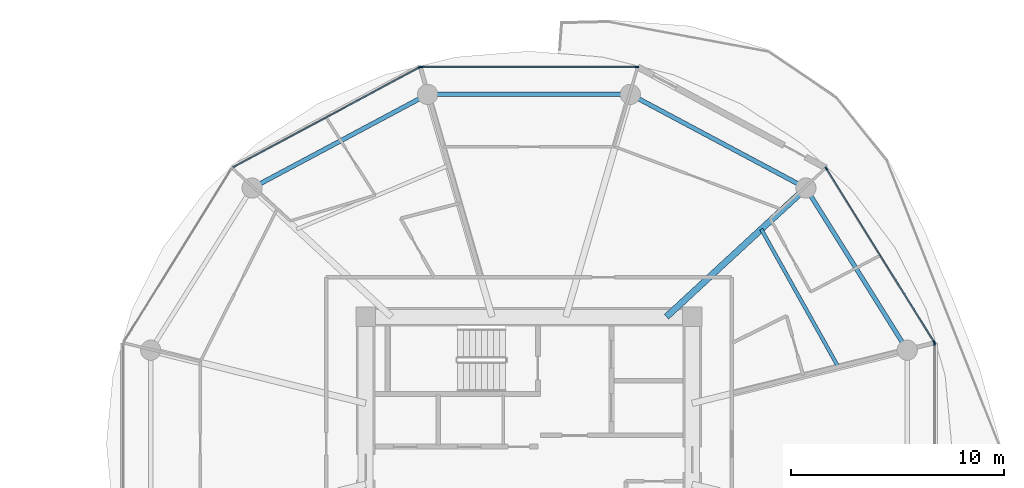
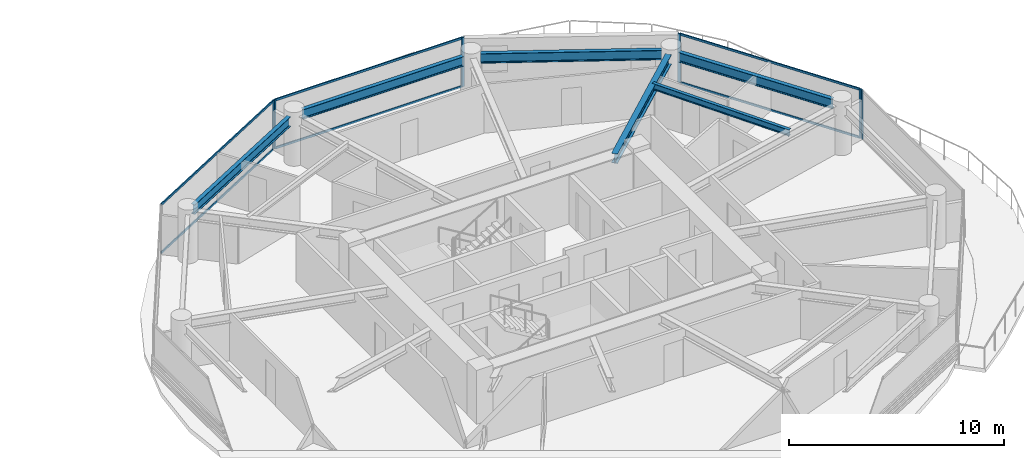
# One storey, part 13 of 27: 12 members, 6 beams, 4 elements without a shape of their own.
"""IFC4 building model written with IfcOpenShell, lengths in metres."""

from ifc_helpers import new_model, si_unit, direction, frame, origin, origin_2d, place, context, subcontext, project, spatial, rectangle, i_section, extrude, source, transform, mapped, material, layer, layer_set, material_profile, profile_set, type_object, type_shapes, element, aggregate, save


model = new_model("IFC4")

# Units and contexts
model_context = context("Model", 3, precision=1e-05, world=origin(), true_north=direction((0.0, 1.0)))
body_context = subcontext(model_context, "Body", "Model", "MODEL_VIEW")
ifc_project = project(units=[si_unit("LENGTHUNIT", "METRE"), si_unit("AREAUNIT", "SQUARE_METRE"), si_unit("VOLUMEUNIT", "CUBIC_METRE"), si_unit("PLANEANGLEUNIT", "RADIAN"), si_unit("MASSUNIT", "GRAM", prefix="KILO")], contexts=[model_context])

# Site, building, storey
site_placement = place(None, origin())
site = spatial("IfcSite", under=ifc_project, at=site_placement, CompositionType="ELEMENT")
building_placement = place(site_placement, origin())
building = spatial("IfcBuilding", under=site, at=building_placement, Name="Norrkilde Senior Care Towers", CompositionType="ELEMENT")
storey_placement = place(building_placement, frame((0.0, 0.0, 46.0)))
storey = spatial("IfcBuildingStorey", under=building, at=storey_placement, Name="L13", CompositionType="ELEMENT", Elevation=46.0)

# Beams
ifc_material_1 = material(Name="Steel S355", Category="steel")
ifc_material_profile_1 = material_profile(ifc_material_1, i_section(OverallWidth=0.2099609375, OverallDepth=0.550048828125, WebThickness=0.010986328125, FlangeThickness=0.01708984375, FilletRadius=0.02392578125, at=origin_2d()), Name="IPE 550")
ifc_profile_set_1 = profile_set([ifc_material_profile_1], Name="Steel S355")
beam_type_1 = type_object("IfcBeamType", Name="Perimeter Ring Spandrel Z1 IPE550", PredefinedType="SPANDREL", material=ifc_profile_set_1)
shared_shape_1 = source(origin(), body_context, "Body", "SweptSolid", [
    extrude(i_section(OverallWidth=0.2099609375, OverallDepth=0.550048828125, WebThickness=0.010986328125, FlangeThickness=0.01708984375, FilletRadius=0.02392578125, at=origin_2d()), origin(), (0.0, 0.0, 1.0), 8.090576171875),
])
beam_1_placement = place(storey_placement, frame((45.494140625, 4.755859375, 2.514892578125), z_axis=(-0.530004364821, 0.84799491347, 0.0), x_axis=(-0.84799491347, -0.530004364821, 0.0)))
element("IfcBeam", 1, at=beam_1_placement, inside=storey, type_object=beam_type_1, Name="L13 Drum E Perimeter Spandrel 01", PredefinedType="SPANDREL", context=body_context, shape_type="MappedRepresentation", body=[
    mapped(shared_shape_1, transform((0.0, 0.0, 0.0), x_axis=(1.0, 0.0, 0.0), y_axis=(0.0, 1.0, 0.0), z_axis=(0.0, 0.0, 1.0), scale=1.0)),
])
shared_shape_2 = source(origin(), body_context, "Body", "SweptSolid", [
    extrude(i_section(OverallWidth=0.2099609375, OverallDepth=0.550048828125, WebThickness=0.010986328125, FlangeThickness=0.01708984375, FilletRadius=0.02392578125, at=origin_2d()), origin(), (0.0, 0.0, 1.0), 8.452880859375),
])
for number, where, z_axis, x_axis, name in (
    (2, (40.591552734375, 12.190185546875, 2.514892578125), (-0.882368931134, 0.470558252898, 0.0), (-0.470558252898, -0.882368931134, 0.0), "L13 Drum E Perimeter Spandrel 02"),
    (3, (22.866943359375, 16.167724609375, 2.514892578125), (-0.882368931134, -0.470558252898, 0.0), (0.470558252898, -0.882368931134, 0.0), "L13 Drum E Perimeter Spandrel 04"),
):
    element("IfcBeam", number, at=place(storey_placement, frame(where, z_axis=z_axis, x_axis=x_axis)), inside=storey, type_object=beam_type_1, Name=name, PredefinedType="SPANDREL", context=body_context, shape_type="MappedRepresentation", body=[
        mapped(shared_shape_2, transform((0.0, 0.0, 0.0), x_axis=(1.0, 0.0, 0.0), y_axis=(0.0, 1.0, 0.0), z_axis=(0.0, 0.0, 1.0), scale=1.0)),
    ])
ifc_material_profile_2 = material_profile(ifc_material_1, i_section(OverallWidth=0.300048828125, OverallDepth=0.550048828125, WebThickness=0.014892578125, FlangeThickness=0.029052734375, FilletRadius=0.027099609375, at=origin_2d()), Name="HEB 550")
ifc_profile_set_2 = profile_set([ifc_material_profile_2], Name="Steel S355")
beam_type_2 = type_object("IfcBeamType", Name="Radial Floor Beam Z1 HEB550", PredefinedType="BEAM", material=ifc_profile_set_2)
shared_shape_3 = source(origin(), body_context, "Body", "SweptSolid", [
    extrude(i_section(OverallWidth=0.300048828125, OverallDepth=0.550048828125, WebThickness=0.014892578125, FlangeThickness=0.029052734375, FilletRadius=0.027099609375, at=origin_2d()), origin(), (0.0, 0.0, 1.0), 8.459716796875),
])
type_shapes(beam_type_2, [shared_shape_3])
beam_2_placement = place(storey_placement, frame((34.44140625, 5.949951171875, 2.514892578125), z_axis=(0.734573269108, 0.678529374686, 0.0), x_axis=(-0.678529374686, 0.734573269108, 0.0)))
element("IfcBeam", 4, at=beam_2_placement, inside=storey, type_object=beam_type_2, Name="L13 Drum E Radial Floor Beam 02", PredefinedType="BEAM", context=body_context, shape_type="MappedRepresentation", body=[
    mapped(shared_shape_3, transform((0.0, 0.0, 0.0), x_axis=(1.0, 0.0, 0.0), y_axis=(0.0, 1.0, 0.0), z_axis=(0.0, 0.0, 1.0), scale=1.0)),
])
shared_shape_4 = source(origin(), body_context, "Body", "SweptSolid", [
    extrude(i_section(OverallWidth=0.2099609375, OverallDepth=0.550048828125, WebThickness=0.010986328125, FlangeThickness=0.01708984375, FilletRadius=0.02392578125, at=origin_2d()), origin(), (0.0, 0.0, 1.0), 8.62841796875),
])
type_shapes(beam_type_1, [shared_shape_1, shared_shape_2, shared_shape_4])
beam_3_placement = place(storey_placement, frame((32.314208984375, 16.37255859375, 2.514892578125), z_axis=(-1.0, 0.0, 0.0), x_axis=(0.0, -1.0, 0.0)))
element("IfcBeam", 5, at=beam_3_placement, inside=storey, type_object=beam_type_1, Name="L13 Drum E Perimeter Spandrel 03", PredefinedType="SPANDREL", context=body_context, shape_type="MappedRepresentation", body=[
    mapped(shared_shape_4, transform((0.0, 0.0, 0.0), x_axis=(1.0, 0.0, 0.0), y_axis=(0.0, 1.0, 0.0), z_axis=(0.0, 0.0, 1.0), scale=1.0)),
])
ifc_material_profile_3 = material_profile(ifc_material_1, i_section(OverallWidth=0.169921875, OverallDepth=0.360107421875, WebThickness=0.008056640625, FlangeThickness=0.0126953125, FilletRadius=0.01806640625, at=origin_2d()), Name="IPE 360")
ifc_profile_set_3 = profile_set([ifc_material_profile_3], Name="Steel S355")
beam_type_3 = type_object("IfcBeamType", Name="Secondary Floor Joist IPE360", PredefinedType="JOIST", material=ifc_profile_set_3)
shared_shape_5 = source(origin(), body_context, "Body", "SweptSolid", [
    extrude(i_section(OverallWidth=0.169921875, OverallDepth=0.360107421875, WebThickness=0.008056640625, FlangeThickness=0.0126953125, FilletRadius=0.01806640625, at=origin_2d()), origin(), (0.0, 0.0, 1.0), 7.40771484375),
])
type_shapes(beam_type_3, [shared_shape_5])
beam_4_placement = place(storey_placement, frame((42.500732421875, 3.589111328125, 2.610107421875), z_axis=(-0.488167754092, 0.872749817453, 0.0), x_axis=(-0.872749817453, -0.488167754092, 0.0)))
element("IfcBeam", 6, at=beam_4_placement, inside=storey, type_object=beam_type_3, Name="L13 Drum E Secondary Floor Joist 1", PredefinedType="JOIST", context=body_context, shape_type="MappedRepresentation", body=[
    mapped(shared_shape_5, transform((0.0, 0.0, 0.0), x_axis=(1.0, 0.0, 0.0), y_axis=(0.0, 1.0, 0.0), z_axis=(0.0, 0.0, 1.0), scale=1.0)),
])

# Curtain wall, members
ifc_material_2 = material(Name="Triple Low-E Insulated Glazing", Category="glass")
ifc_layer = layer(ifc_material_2, 0.199951171875)
ifc_layer_set = layer_set([ifc_layer], Name="Triple Low-E Insulated Glazing")
curtain_wall_type = type_object("IfcCurtainWallType", Name="CW2 Zone 1 Memory Care Curtain Wall", PredefinedType="NOTDEFINED", material=ifc_layer_set)
curtain_wall_1_placement = place(storey_placement, origin())
curtain_wall_1 = element("IfcCurtainWall", 7, at=curtain_wall_1_placement, inside=storey, type_object=curtain_wall_type, Name="L13 Drum E Curtain Wall 00", PredefinedType="NOTDEFINED")
ifc_material_3 = material(Name="Anodised Aluminium", Category="aluminium")
ifc_material_profile_4 = material_profile(ifc_material_3, rectangle(XDim=0.06494140625, YDim=0.159912109375, at=origin_2d()), Name="ALU MULL 65x160")
ifc_profile_set_4 = profile_set([ifc_material_profile_4], Name="Anodised Aluminium")
member_type_1 = type_object("IfcMemberType", Name="Curtain Wall Mullion Z1-Z2 65x160", PredefinedType="MULLION", material=ifc_profile_set_4)
shared_shape_6 = source(origin(), body_context, "Body", "SweptSolid", [
    extrude(rectangle(XDim=0.06494140625, YDim=0.159912109375, at=origin_2d()), origin(), (0.0, 0.0, 1.0), 2.7900390625),
])
type_shapes(member_type_1, [shared_shape_6])
member_1_placement = place(storey_placement, frame((41.93310546875, 12.898193359375, 0.0), z_axis=(0.0, 0.0, 1.0), x_axis=(0.849305943117, 0.527900951871, 0.0)))
member_1 = element("IfcMember", 8, at=member_1_placement, type_object=member_type_1, Name="CW-2 mullion 1", PredefinedType="MULLION", context=body_context, shape_type="MappedRepresentation", body=[
    mapped(shared_shape_6, transform((0.0, 0.0, 0.0), x_axis=(1.0, 0.0, 0.0), y_axis=(0.0, 1.0, 0.0), z_axis=(0.0, 0.0, 1.0), scale=1.0)),
])
member_2_placement = place(storey_placement, frame((46.9921875, 4.7587890625, 0.0), z_axis=(0.0, 0.0, 1.0), x_axis=(0.849305943117, 0.527900951871, 0.0)))
member_2 = element("IfcMember", 9, at=member_2_placement, type_object=member_type_1, Name="CW-2 mullion 2", PredefinedType="MULLION", context=body_context, shape_type="MappedRepresentation", body=[
    mapped(shared_shape_6, transform((0.0, 0.0, 0.0), x_axis=(1.0, 0.0, 0.0), y_axis=(0.0, 1.0, 0.0), z_axis=(0.0, 0.0, 1.0), scale=1.0)),
])

curtain_wall_2_placement = place(storey_placement, origin())
curtain_wall_2 = element("IfcCurtainWall", 10, at=curtain_wall_2_placement, inside=storey, type_object=curtain_wall_type, Name="L13 Drum E Curtain Wall 02", PredefinedType="NOTDEFINED")
member_3_placement = place(storey_placement, frame((22.93896484375, 17.6572265625, 0.0), z_axis=(0.0, 0.0, 1.0), x_axis=(0.0, 1.0, 0.0)))
member_3 = element("IfcMember", 11, at=member_3_placement, type_object=member_type_1, Name="CW-2 mullion 1", PredefinedType="MULLION", context=body_context, shape_type="MappedRepresentation", body=[
    mapped(shared_shape_6, transform((0.0, 0.0, 0.0), x_axis=(1.0, 0.0, 0.0), y_axis=(0.0, 1.0, 0.0), z_axis=(0.0, 0.0, 1.0), scale=1.0)),
])
member_4_placement = place(storey_placement, frame((33.06103515625, 17.6572265625, 0.0), z_axis=(0.0, 0.0, 1.0), x_axis=(0.0, 1.0, 0.0)))
member_4 = element("IfcMember", 12, at=member_4_placement, type_object=member_type_1, Name="CW-2 mullion 2", PredefinedType="MULLION", context=body_context, shape_type="MappedRepresentation", body=[
    mapped(shared_shape_6, transform((0.0, 0.0, 0.0), x_axis=(1.0, 0.0, 0.0), y_axis=(0.0, 1.0, 0.0), z_axis=(0.0, 0.0, 1.0), scale=1.0)),
])

# Curtain wall, member
curtain_wall_3_placement = place(storey_placement, origin())
curtain_wall_3 = element("IfcCurtainWall", 13, at=curtain_wall_3_placement, inside=storey, type_object=curtain_wall_type, Name="L13 Drum E Curtain Wall 03", PredefinedType="NOTDEFINED")
member_5_placement = place(storey_placement, frame((22.877685546875, 17.641845703125, 0.0), z_axis=(0.0, 0.0, 1.0), x_axis=(-0.472607802456, 0.881272866403, 0.0)))
member_5 = element("IfcMember", 14, at=member_5_placement, type_object=member_type_1, Name="CW-2 mullion 2", PredefinedType="MULLION", context=body_context, shape_type="MappedRepresentation", body=[
    mapped(shared_shape_6, transform((0.0, 0.0, 0.0), x_axis=(1.0, 0.0, 0.0), y_axis=(0.0, 1.0, 0.0), z_axis=(0.0, 0.0, 1.0), scale=1.0)),
])

curtain_wall_4_placement = place(storey_placement, origin())
curtain_wall_4 = element("IfcCurtainWall", 15, at=curtain_wall_4_placement, inside=storey, type_object=curtain_wall_type, Name="L13 Drum E Curtain Wall 11", PredefinedType="NOTDEFINED")
member_6_placement = place(storey_placement, frame((47.009521484375, 4.69873046875, 0.0), z_axis=(0.0, 0.0, 1.0), x_axis=(1.0, 0.0, 0.0)))
member_6 = element("IfcMember", 16, at=member_6_placement, type_object=member_type_1, Name="CW-2 mullion 1", PredefinedType="MULLION", context=body_context, shape_type="MappedRepresentation", body=[
    mapped(shared_shape_6, transform((0.0, 0.0, 0.0), x_axis=(1.0, 0.0, 0.0), y_axis=(0.0, 1.0, 0.0), z_axis=(0.0, 0.0, 1.0), scale=1.0)),
])
aggregate(curtain_wall_4, [member_6])

# Member
ifc_material_profile_5 = material_profile(ifc_material_3, rectangle(XDim=0.06005859375, YDim=0.1201171875, at=origin_2d()), Name="ALU TRAN 60x120")
ifc_profile_set_5 = profile_set([ifc_material_profile_5], Name="Anodised Aluminium")
member_type_2 = type_object("IfcMemberType", Name="Curtain Wall Transom Typical 60x120", PredefinedType="USERDEFINED", material=ifc_profile_set_5)
shared_shape_7 = source(origin(), body_context, "Body", "SweptSolid", [
    extrude(rectangle(XDim=0.06005859375, YDim=0.1201171875, at=origin_2d()), origin(), (0.0, 0.0, 1.0), 9.5185546875),
])
member_7_placement = place(storey_placement, frame((41.9501953125, 12.87060546875, 0.030029296875), z_axis=(0.527901620669, -0.849305527413, 0.0), x_axis=(0.849305527413, 0.527901620669, 0.0)))
member_7 = element("IfcMember", 17, at=member_7_placement, type_object=member_type_2, Name="CW-2 transom 1.1", ObjectType="TRANSOM", PredefinedType="USERDEFINED", context=body_context, shape_type="MappedRepresentation", body=[
    mapped(shared_shape_7, transform((0.0, 0.0, 0.0), x_axis=(1.0, 0.0, 0.0), y_axis=(0.0, 1.0, 0.0), z_axis=(0.0, 0.0, 1.0), scale=1.0)),
])

member_8_placement = place(storey_placement, frame((41.9501953125, 12.87060546875, 2.760009765625), z_axis=(0.527901620669, -0.849305527413, 0.0), x_axis=(0.849305527413, 0.527901620669, 0.0)))
member_8 = element("IfcMember", 18, at=member_8_placement, type_object=member_type_2, Name="CW-2 transom 1.2", ObjectType="TRANSOM", PredefinedType="USERDEFINED", context=body_context, shape_type="MappedRepresentation", body=[
    mapped(shared_shape_7, transform((0.0, 0.0, 0.0), x_axis=(1.0, 0.0, 0.0), y_axis=(0.0, 1.0, 0.0), z_axis=(0.0, 0.0, 1.0), scale=1.0)),
])

aggregate(curtain_wall_1, [member_1, member_2, member_7, member_8])

shared_shape_8 = source(origin(), body_context, "Body", "SweptSolid", [
    extrude(rectangle(XDim=0.06005859375, YDim=0.1201171875, at=origin_2d()), origin(), (0.0, 0.0, 1.0), 9.880859375),
])
member_9_placement = place(storey_placement, frame((14.141357421875, 12.95654296875, 0.030029296875), z_axis=(0.881267204043, 0.47261836092, 0.0), x_axis=(-0.47261836092, 0.881267204043, 0.0)))
member_9 = element("IfcMember", 19, at=member_9_placement, type_object=member_type_2, Name="CW-2 transom 1.1", ObjectType="TRANSOM", PredefinedType="USERDEFINED", context=body_context, shape_type="MappedRepresentation", body=[
    mapped(shared_shape_8, transform((0.0, 0.0, 0.0), x_axis=(1.0, 0.0, 0.0), y_axis=(0.0, 1.0, 0.0), z_axis=(0.0, 0.0, 1.0), scale=1.0)),
])

member_10_placement = place(storey_placement, frame((14.141357421875, 12.95654296875, 2.760009765625), z_axis=(0.881267204043, 0.47261836092, 0.0), x_axis=(-0.47261836092, 0.881267204043, 0.0)))
member_10 = element("IfcMember", 20, at=member_10_placement, type_object=member_type_2, Name="CW-2 transom 1.2", ObjectType="TRANSOM", PredefinedType="USERDEFINED", context=body_context, shape_type="MappedRepresentation", body=[
    mapped(shared_shape_8, transform((0.0, 0.0, 0.0), x_axis=(1.0, 0.0, 0.0), y_axis=(0.0, 1.0, 0.0), z_axis=(0.0, 0.0, 1.0), scale=1.0)),
])

aggregate(curtain_wall_3, [member_5, member_9, member_10])

shared_shape_9 = source(origin(), body_context, "Body", "SweptSolid", [
    extrude(rectangle(XDim=0.06005859375, YDim=0.1201171875, at=origin_2d()), origin(), (0.0, 0.0, 1.0), 10.05712890625),
])
type_shapes(member_type_2, [shared_shape_7, shared_shape_8, shared_shape_9])
member_11_placement = place(storey_placement, frame((22.971435546875, 17.6572265625, 0.030029296875), z_axis=(1.0, 0.0, 0.0), x_axis=(0.0, 1.0, 0.0)))
member_11 = element("IfcMember", 21, at=member_11_placement, type_object=member_type_2, Name="CW-2 transom 1.1", ObjectType="TRANSOM", PredefinedType="USERDEFINED", context=body_context, shape_type="MappedRepresentation", body=[
    mapped(shared_shape_9, transform((0.0, 0.0, 0.0), x_axis=(1.0, 0.0, 0.0), y_axis=(0.0, 1.0, 0.0), z_axis=(0.0, 0.0, 1.0), scale=1.0)),
])

member_12_placement = place(storey_placement, frame((22.971435546875, 17.6572265625, 2.760009765625), z_axis=(1.0, 0.0, 0.0), x_axis=(0.0, 1.0, 0.0)))
member_12 = element("IfcMember", 22, at=member_12_placement, type_object=member_type_2, Name="CW-2 transom 1.2", ObjectType="TRANSOM", PredefinedType="USERDEFINED", context=body_context, shape_type="MappedRepresentation", body=[
    mapped(shared_shape_9, transform((0.0, 0.0, 0.0), x_axis=(1.0, 0.0, 0.0), y_axis=(0.0, 1.0, 0.0), z_axis=(0.0, 0.0, 1.0), scale=1.0)),
])

aggregate(curtain_wall_2, [member_3, member_4, member_11, member_12])

save(model, "model.ifc")
